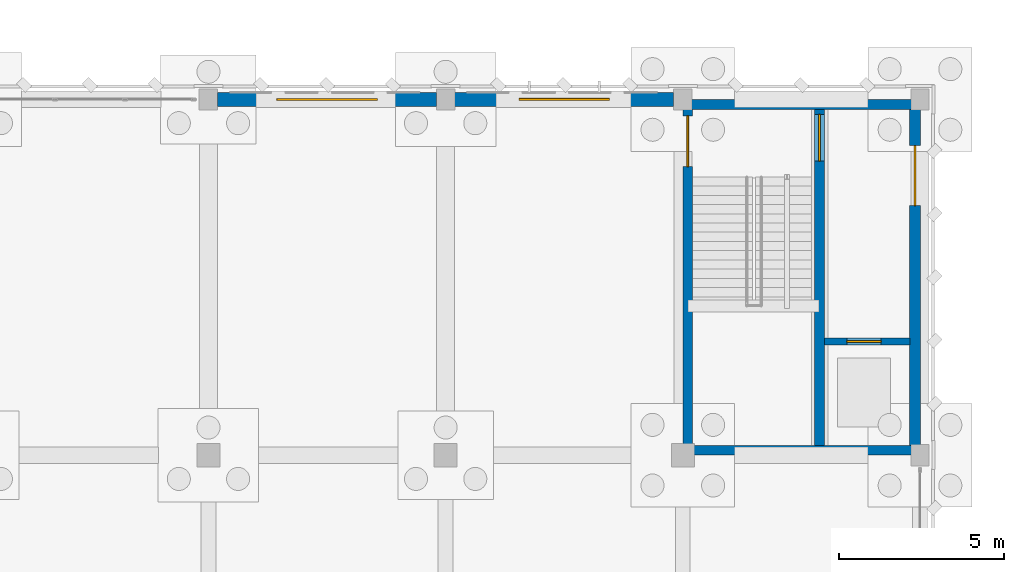
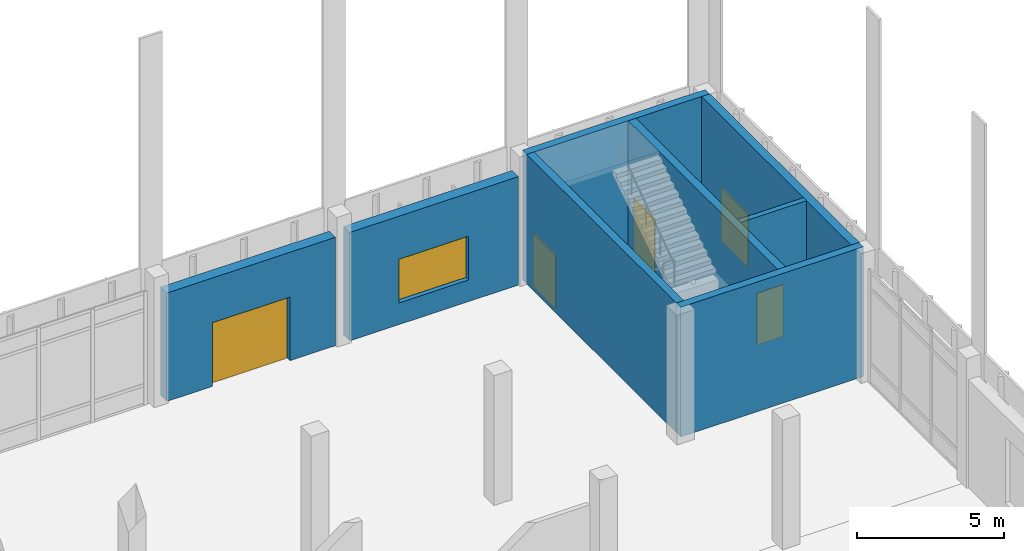
# One storey, part 91 of 109: 8 walls, 5 doors, 1 window, 6 openings.
"""IFC4 building model written with IfcOpenShell, lengths in metres."""

from ifc_helpers import new_model, si_unit, direction, frame, frame_2d, origin, place, context, subcontext, project, spatial, rectangle, extrude, material, layer, layer_set, type_object, element, fill, save


model = new_model("IFC4")

# Units and contexts
model_context = context("Model", 3, precision=1e-05, world=origin(), true_north=direction((0.0, 1.0)))
body_context = subcontext(model_context, "Body", "Model", "MODEL_VIEW")
ifc_project = project(units=[si_unit("LENGTHUNIT", "METRE"), si_unit("AREAUNIT", "SQUARE_METRE"), si_unit("VOLUMEUNIT", "CUBIC_METRE"), si_unit("PLANEANGLEUNIT", "RADIAN"), si_unit("MASSUNIT", "GRAM", prefix="KILO")], contexts=[model_context])

# Site, building, storey
site_placement = place(None, origin())
site = spatial("IfcSite", under=ifc_project, at=site_placement, CompositionType="ELEMENT")
building_placement = place(site_placement, origin())
building = spatial("IfcBuilding", under=site, at=building_placement, Name="Lusvemor Sports Hall", CompositionType="ELEMENT")
storey_placement = place(building_placement, origin())
storey = spatial("IfcBuildingStorey", under=building, at=storey_placement, Name="L00", CompositionType="ELEMENT", Elevation=0.0)

# Wall, opening, door
ifc_material_1 = material(Name="Precast granite-faced Concrete C40/50 architectural cladding", Category="masonry")
ifc_layer_1 = layer(ifc_material_1, 0.419921875)
ifc_layer_set_1 = layer_set([ifc_layer_1], Name="Precast granite-faced Concrete C40/50 architectural cladding")
wall_type_1 = type_object("IfcWallType", Name="EW_GRANITE_420", PredefinedType="STANDARD", material=ifc_layer_set_1)
wall_1_placement = place(storey_placement, frame((147.8759765625, 115.199951171875, 0.0), z_axis=(0.0, 0.0, 1.0), x_axis=(1.0, 0.0, 0.0)))
wall_1 = element("IfcWall", 1, at=wall_1_placement, inside=storey, type_object=wall_type_1, Name="Exterior Wall EW-L00-N-1-16", PredefinedType="STANDARD", context=body_context, shape_type="SweptSolid", body=[
    extrude(rectangle(XDim=6.64794921875, YDim=0.419921875, at=frame_2d((3.323974609375, 0.0))), origin(), (0.0, 0.0, 1.0), 4.514892578125),
])
opening_1_placement = place(wall_1_placement, frame((1.799072265625, 0.0, 0.0)))
opening_1 = element("IfcOpeningElement", 2, at=opening_1_placement, cuts=wall_1, Name="Opening EG01", PredefinedType="OPENING", context=body_context, shape_type="SweptSolid", body=[
    extrude(rectangle(XDim=3.050048828125, YDim=2.64990234375, at=frame_2d((1.52490234375, 1.324951171875))), frame((0.0, 0.2099609375, 0.0), z_axis=(0.0, -1.0, 0.0), x_axis=(1.0, 0.0, 0.0)), (0.0, 0.0, 1.0), 0.419921875),
])
ifc_material_2 = material(Name="Thermally broken bronze-anodized aluminium", Category="aluminium")
door_type_1 = type_object("IfcDoorType", Name="EGATE_SERV_305x265", OperationType="NOTDEFINED", PredefinedType="GATE", material=ifc_material_2)
door_1_placement = place(opening_1_placement, origin())
door_1 = element("IfcDoor", 3, at=door_1_placement, inside=storey, type_object=door_type_1, Name="DR-028", OperationType="SINGLE_SWING_LEFT", OverallHeight=2.64990234375, OverallWidth=3.050048828125, PredefinedType="GATE", context=body_context, shape_type="SweptSolid", body=[
    extrude(rectangle(XDim=3.050048828125, YDim=2.64990234375, at=frame_2d((1.52490234375, 1.324951171875))), frame((0.0, 0.02490234375, 0.0), z_axis=(0.0, -1.0, 0.0), x_axis=(1.0, 0.0, 0.0)), (0.0, 0.0, 1.0), 0.050048828125),
])
fill(opening_1, door_1)

# Wall, opening, window
wall_2_placement = place(storey_placement, frame((155.075927734375, 115.199951171875, 0.0), z_axis=(0.0, 0.0, 1.0), x_axis=(1.0, 0.0, 0.0)))
wall_2 = element("IfcWall", 4, at=wall_2_placement, inside=storey, type_object=wall_type_1, Name="Exterior Wall EW-L00-N-1-17", PredefinedType="STANDARD", context=body_context, shape_type="SweptSolid", body=[
    extrude(rectangle(XDim=6.648193359375, YDim=0.419921875, at=frame_2d((3.32421875, 0.0))), origin(), (0.0, 0.0, 1.0), 4.514892578125),
])
opening_2_placement = place(wall_2_placement, frame((1.9541015625, 0.0, 0.89990234375)))
opening_2 = element("IfcOpeningElement", 5, at=opening_2_placement, cuts=wall_2, Name="Opening WN20", PredefinedType="OPENING", context=body_context, shape_type="SweptSolid", body=[
    extrude(rectangle(XDim=2.739990234375, YDim=1.820068359375, at=frame_2d((1.3701171875, 0.91015625))), frame((0.0, 0.2099609375, 0.0), z_axis=(0.0, -1.0, 0.0), x_axis=(1.0, 0.0, 0.0)), (0.0, 0.0, 1.0), 0.419921875),
])
ifc_material_3 = material(Name="Solar-control laminated double glazing", Category="glass")
window_type = type_object("IfcWindowType", Name="WIN_20", PartitioningType="SINGLE_PANEL", PredefinedType="WINDOW", material=ifc_material_3)
window_placement = place(opening_2_placement, origin())
window = element("IfcWindow", 6, at=window_placement, inside=storey, type_object=window_type, Name="Wing Window L00-N-1-17", OverallHeight=1.820068359375, OverallWidth=2.739990234375, PartitioningType="SINGLE_PANEL", PredefinedType="WINDOW", context=body_context, shape_type="SweptSolid", body=[
    extrude(rectangle(XDim=2.739990234375, YDim=1.820068359375, at=frame_2d((1.3701171875, 0.91015625))), frame((0.0, 0.030029296875, 0.0), z_axis=(0.0, -1.0, 0.0), x_axis=(1.0, 0.0, 0.0)), (0.0, 0.0, 1.0), 0.06005859375),
])
fill(opening_2, window)

# Wall, opening, door
ifc_material_4 = material(Name="Concrete C40/50", Category="concrete")
ifc_layer_2 = layer(ifc_material_4, 0.2099609375)
ifc_layer_set_2 = layer_set([ifc_layer_2], Name="Concrete C40/50")
wall_type_2 = type_object("IfcWallType", Name="IW_SHFT_212", PredefinedType="STANDARD", material=ifc_layer_set_2)
wall_3_placement = place(storey_placement, frame((166.300048828125, 107.85009765625, 0.0), z_axis=(0.0, 0.0, 1.0), x_axis=(1.0, 0.0, 0.0)))
wall_3 = element("IfcWall", 7, at=wall_3_placement, inside=storey, type_object=wall_type_2, Name="Lift LP-03 Shaft Front Wall (L00)", PredefinedType="STANDARD", context=body_context, shape_type="SweptSolid", body=[
    extrude(rectangle(XDim=2.599853515625, YDim=0.2099609375, at=frame_2d((1.2998046875, 0.0))), origin(), (0.0, 0.0, 1.0), 5.39990234375),
])
opening_3_placement = place(wall_3_placement, frame((0.679931640625, 0.0, 0.0)))
opening_3 = element("IfcOpeningElement", 8, at=opening_3_placement, cuts=wall_3, Name="Opening LD-02", PredefinedType="OPENING", context=body_context, shape_type="SweptSolid", body=[
    extrude(rectangle(XDim=1.0400390625, YDim=2.159912109375, at=frame_2d((0.52001953125, 1.080078125))), frame((0.0, 0.10498046875, 0.0), z_axis=(0.0, -1.0, 0.0), x_axis=(1.0, 0.0, 0.0)), (0.0, 0.0, 1.0), 0.2099609375),
])
ifc_material_5 = material(Name="Brushed stainless-steel sliding lift landing door", Category="steel")
door_type_2 = type_object("IfcDoorType", Name="LIFT_DOOR_PAX_104", OperationType="NOTDEFINED", PredefinedType="DOOR", material=ifc_material_5)
door_2_placement = place(opening_3_placement, origin())
door_2 = element("IfcDoor", 9, at=door_2_placement, inside=storey, type_object=door_type_2, Name="DR-098", OperationType="SLIDING_TO_LEFT", OverallHeight=2.159912109375, OverallWidth=1.0400390625, PredefinedType="DOOR", context=body_context, shape_type="SweptSolid", body=[
    extrude(rectangle(XDim=1.0400390625, YDim=2.159912109375, at=frame_2d((0.52001953125, 1.080078125))), frame((0.0, 0.02490234375, 0.0), z_axis=(0.0, -1.0, 0.0), x_axis=(1.0, 0.0, 0.0)), (0.0, 0.0, 1.0), 0.050048828125),
])
fill(opening_3, door_2)

# Walls
ifc_material_6 = material(Name="Concrete C40/50", Category="concrete")
ifc_layer_3 = layer(ifc_material_6, 0.300048828125)
ifc_layer_set_3 = layer_set([ifc_layer_3], Name="Concrete C40/50")
wall_type_3 = type_object("IfcWallType", Name="WALL_CORE_300_INT", PredefinedType="SHEAR", material=ifc_layer_set_3)
for number, where, z_axis, x_axis, name in (
    (10, (169.199951171875, 104.550048828125, 0.0), (0.0, 0.0, 1.0), (-1.0, 0.0, 0.0), "Core C5 Northeast Shear Wall S (L00)"),
    (11, (162.0, 115.050048828125, 0.0), (0.0, 0.0, 1.0), (1.0, 0.0, 0.0), "Core C5 Northeast Shear Wall N (L00)"),
):
    element("IfcWall", number, at=place(storey_placement, frame(where, z_axis=z_axis, x_axis=x_axis)), inside=storey, type_object=wall_type_3, Name=name, PredefinedType="SHEAR", context=body_context, shape_type="SweptSolid", body=[
        extrude(rectangle(XDim=7.199951171875, YDim=0.300048828125, at=frame_2d((3.60009765625, 0.0))), origin(), (0.0, 0.0, 1.0), 5.39990234375),
    ])

# Wall, opening, door
wall_4_placement = place(storey_placement, frame((162.14990234375, 104.699951171875, 0.0), z_axis=(0.0, 0.0, 1.0), x_axis=(0.0, 1.0, 0.0)))
wall_4 = element("IfcWall", 12, at=wall_4_placement, inside=storey, type_object=wall_type_3, Name="Core C5 Northeast Shear Wall W (L00)", PredefinedType="SHEAR", context=body_context, shape_type="SweptSolid", body=[
    extrude(rectangle(XDim=10.199951171875, YDim=0.300048828125, at=frame_2d((5.10009765625, 0.0))), origin(), (0.0, 0.0, 1.0), 5.39990234375),
])
opening_4_placement = place(wall_4_placement, frame((8.4599609375, 0.0, 0.0)))
opening_4 = element("IfcOpeningElement", 13, at=opening_4_placement, cuts=wall_4, Name="Opening DR-FD60-01", PredefinedType="OPENING", context=body_context, shape_type="SweptSolid", body=[
    extrude(rectangle(XDim=1.5400390625, YDim=2.219970703125, at=frame_2d((0.77001953125, 1.10986328125))), frame((0.0, 0.14990234375, 0.0), z_axis=(0.0, -1.0, 0.0), x_axis=(1.0, 0.0, 0.0)), (0.0, 0.0, 1.0), 0.300048828125),
])
ifc_material_7 = material(Name="Fire-rated insulated painted steel door assembly", Category="steel")
door_type_3 = type_object("IfcDoorType", Name="IDR_LOBBY_FD60_154", OperationType="NOTDEFINED", PredefinedType="DOOR", material=ifc_material_7)
door_3_placement = place(opening_4_placement, origin())
door_3 = element("IfcDoor", 14, at=door_3_placement, inside=storey, type_object=door_type_3, Name="DR-103", OperationType="SINGLE_SWING_LEFT", OverallHeight=2.219970703125, OverallWidth=1.5400390625, PredefinedType="DOOR", context=body_context, shape_type="SweptSolid", body=[
    extrude(rectangle(XDim=1.5400390625, YDim=2.219970703125, at=frame_2d((0.77001953125, 1.10986328125))), frame((0.0, 0.02490234375, 0.0), z_axis=(0.0, -1.0, 0.0), x_axis=(1.0, 0.0, 0.0)), (0.0, 0.0, 1.0), 0.050048828125),
])
fill(opening_4, door_3)

wall_5_placement = place(storey_placement, frame((166.14990234375, 104.699951171875, 0.0), z_axis=(0.0, 0.0, 1.0), x_axis=(0.0, 1.0, 0.0)))
wall_5 = element("IfcWall", 15, at=wall_5_placement, inside=storey, type_object=wall_type_3, Name="Core C5 Northeast Shear Wall M (L00)", PredefinedType="SHEAR", context=body_context, shape_type="SweptSolid", body=[
    extrude(rectangle(XDim=10.199951171875, YDim=0.300048828125, at=frame_2d((5.10009765625, 0.0))), origin(), (0.0, 0.0, 1.0), 5.39990234375),
])
opening_5_placement = place(wall_5_placement, frame((8.6298828125, 0.0, 0.0)))
opening_5 = element("IfcOpeningElement", 16, at=opening_5_placement, cuts=wall_5, Name="Opening DR-FD90-01", PredefinedType="OPENING", context=body_context, shape_type="SweptSolid", body=[
    extrude(rectangle(XDim=1.419921875, YDim=2.199951171875, at=frame_2d((0.7099609375, 1.10009765625))), frame((0.0, 0.14990234375, 0.0), z_axis=(0.0, -1.0, 0.0), x_axis=(1.0, 0.0, 0.0)), (0.0, 0.0, 1.0), 0.300048828125),
])
ifc_material_8 = material(Name="Fire-rated insulated painted steel door assembly", Category="steel")
door_type_4 = type_object("IfcDoorType", Name="IDR_STAIR_FD90_142", OperationType="NOTDEFINED", PredefinedType="DOOR", material=ifc_material_8)
door_4_placement = place(opening_5_placement, origin())
door_4 = element("IfcDoor", 17, at=door_4_placement, inside=storey, type_object=door_type_4, Name="DR-102", OperationType="SINGLE_SWING_RIGHT", OverallHeight=2.199951171875, OverallWidth=1.419921875, PredefinedType="DOOR", context=body_context, shape_type="SweptSolid", body=[
    extrude(rectangle(XDim=1.419921875, YDim=2.199951171875, at=frame_2d((0.7099609375, 1.10009765625))), frame((0.0, 0.02490234375, 0.0), z_axis=(0.0, -1.0, 0.0), x_axis=(1.0, 0.0, 0.0)), (0.0, 0.0, 1.0), 0.050048828125),
])
fill(opening_5, door_4)

ifc_material_9 = material(Name="Concrete C40/50", Category="concrete")
ifc_layer_4 = layer(ifc_material_9, 0.324951171875)
ifc_layer_set_4 = layer_set([ifc_layer_4], Name="Concrete C40/50")
wall_type_4 = type_object("IfcWallType", Name="WALL_CORE_325_EXT", PredefinedType="SHEAR", material=ifc_layer_set_4)
wall_6_placement = place(storey_placement, frame((169.050048828125, 114.89990234375, 0.0), z_axis=(0.0, 0.0, 1.0), x_axis=(0.0, -1.0, 0.0)))
wall_6 = element("IfcWall", 18, at=wall_6_placement, inside=storey, type_object=wall_type_4, Name="Core C5 Northeast Shear Wall E (L00)", PredefinedType="SHEAR", context=body_context, shape_type="SweptSolid", body=[
    extrude(rectangle(XDim=10.199951171875, YDim=0.324951171875, at=frame_2d((5.10009765625, 0.0))), origin(), (0.0, 0.0, 1.0), 5.39990234375),
])
opening_6_placement = place(wall_6_placement, frame((1.10009765625, 0.0, 0.0)))
opening_6 = element("IfcOpeningElement", 19, at=opening_6_placement, cuts=wall_6, Name="Opening ED04", PredefinedType="OPENING", context=body_context, shape_type="SweptSolid", body=[
    extrude(rectangle(XDim=1.820068359375, YDim=2.219970703125, at=frame_2d((0.91015625, 1.10986328125))), frame((0.0, 0.16259765625, 0.0), z_axis=(0.0, -1.0, 0.0), x_axis=(1.0, 0.0, 0.0)), (0.0, 0.0, 1.0), 0.324951171875),
])
ifc_material_10 = material(Name="Thermally broken bronze-anodized aluminium", Category="aluminium")
door_type_5 = type_object("IfcDoorType", Name="EDR_STAIR_EXIT_182x222", OperationType="NOTDEFINED", PredefinedType="DOOR", material=ifc_material_10)
door_5_placement = place(opening_6_placement, origin())
door_5 = element("IfcDoor", 20, at=door_5_placement, inside=storey, type_object=door_type_5, Name="DR-005", OperationType="SINGLE_SWING_LEFT", OverallHeight=2.219970703125, OverallWidth=1.820068359375, PredefinedType="DOOR", context=body_context, shape_type="SweptSolid", body=[
    extrude(rectangle(XDim=1.820068359375, YDim=2.219970703125, at=frame_2d((0.91015625, 1.10986328125))), frame((0.0, 0.02490234375, 0.0), z_axis=(0.0, -1.0, 0.0), x_axis=(1.0, 0.0, 0.0)), (0.0, 0.0, 1.0), 0.050048828125),
])
fill(opening_6, door_5)

save(model, "model.ifc")
